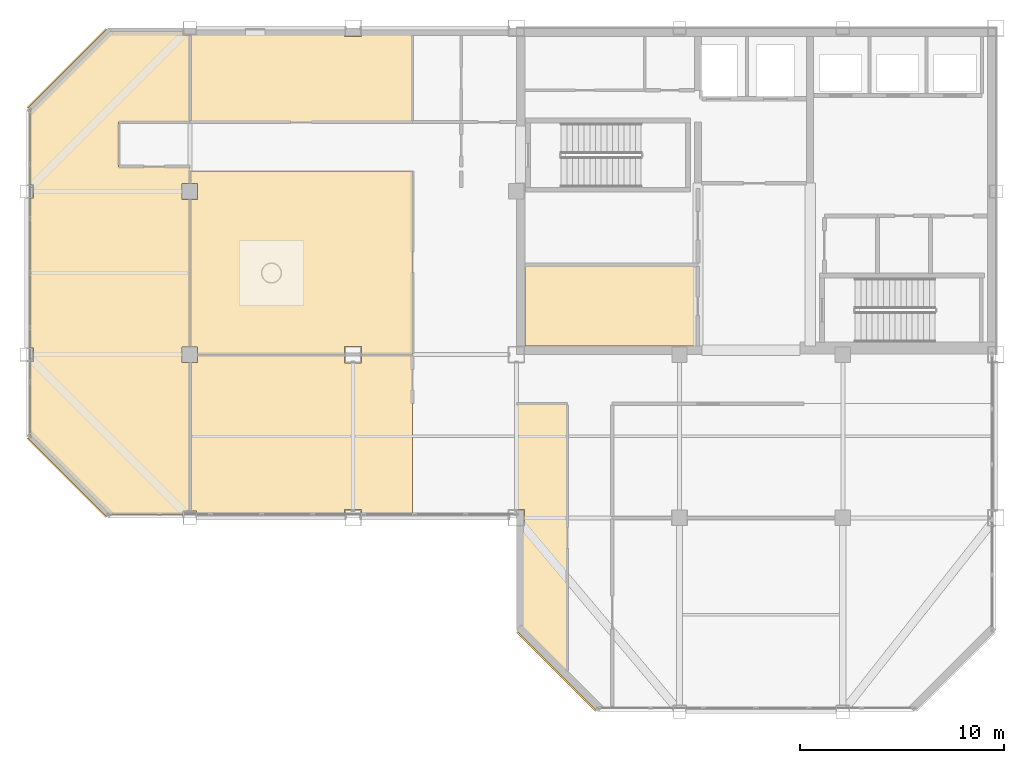
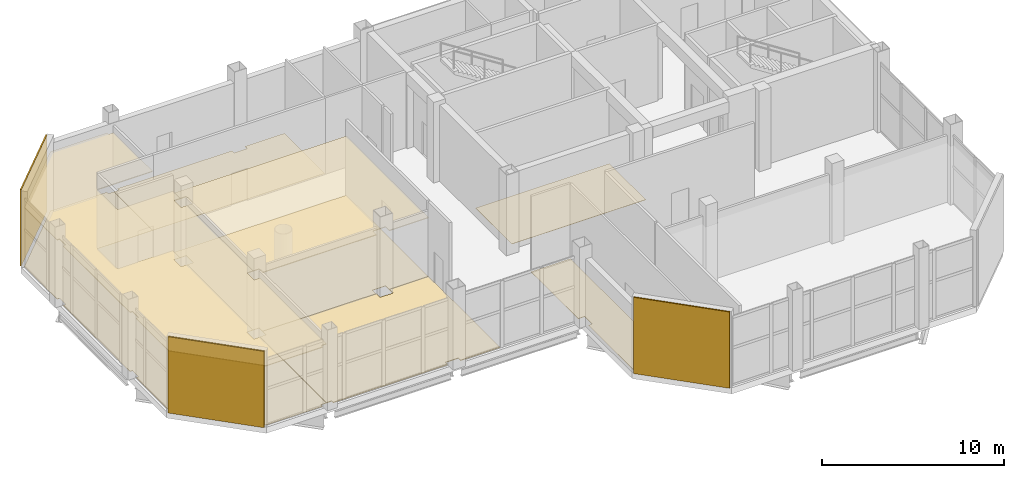
# One storey, part 15 of 17: 11 coverings.
"""IFC4 building model written with IfcOpenShell, lengths in metres."""

from ifc_helpers import new_model, si_unit, direction, frame, origin, origin_2d, place, context, subcontext, project, spatial, polyline, rectangle, outline, extrude, material, layer, layer_set, type_object, element, save


model = new_model("IFC4")

# Units and contexts
model_context = context("Model", 3, precision=1e-05, world=origin(), true_north=direction((0.0, 1.0)))
body_context = subcontext(model_context, "Body", "Model", "MODEL_VIEW")
ifc_project = project(units=[si_unit("LENGTHUNIT", "METRE"), si_unit("AREAUNIT", "SQUARE_METRE"), si_unit("VOLUMEUNIT", "CUBIC_METRE"), si_unit("PLANEANGLEUNIT", "RADIAN"), si_unit("MASSUNIT", "GRAM", prefix="KILO")], contexts=[model_context])

# Site, building, storey
site_placement = place(None, origin())
site = spatial("IfcSite", under=ifc_project, at=site_placement, CompositionType="ELEMENT")
building_placement = place(site_placement, origin())
building = spatial("IfcBuilding", under=site, at=building_placement, Name="Qianrong Seaharbour Tower", CompositionType="ELEMENT")
storey_placement = place(building_placement, frame((0.0, 0.0, 373.0)))
storey = spatial("IfcBuildingStorey", under=building, at=storey_placement, Name="L90", CompositionType="ELEMENT", Elevation=373.0)

# Coverings
ifc_material_1 = material(Name="Perforated acoustic gypsum ceiling board")
ifc_layer_1 = layer(ifc_material_1, 0.050048828125)
ifc_layer_set_1 = layer_set([ifc_layer_1], Name="Perforated acoustic gypsum ceiling board")
covering_type_1 = type_object("IfcCoveringType", Name="COV-CEIL-GYPSUM-50", PredefinedType="CEILING", material=ifc_layer_set_1)
covering_1_placement = place(storey_placement, frame((0.0, 0.0, 3.93994140625)))
element("IfcCovering", 1, at=covering_1_placement, inside=storey, type_object=covering_type_1, Name="L90 Heritage Exhibition Hall Acoustic Ceiling", PredefinedType="CEILING", context=body_context, shape_type="SweptSolid", body=[
    extrude(outline(polyline([(35.39990234375, 45.0), (35.39990234375, 36.0), (32.909912109375, 36.0), (32.909912109375, 36.409912109375), (32.090087890625, 36.409912109375), (32.090087890625, 36.0), (24.885009765625, 36.0), (24.885009765625, 36.385009765625), (24.5, 36.385009765625), (24.5, 43.614990234375), (24.885009765625, 43.614990234375), (24.885009765625, 44.385009765625), (24.5, 44.385009765625), (24.5, 45.0), (35.39990234375, 45.0)])), origin(), (0.0, 0.0, 1.0), 0.050048828125),
])
covering_2_placement = place(storey_placement, frame((0.0, 0.0, 3.93994140625)))
element("IfcCovering", 2, at=covering_2_placement, inside=storey, type_object=covering_type_1, Name="L90 Observatory Gallery Acoustic Ceiling", PredefinedType="CEILING", context=body_context, shape_type="SweptSolid", body=[
    extrude(outline(polyline([(16.675048828125, 32.072509765625), (16.675048828125, 35.6650390625), (16.8349609375, 35.6650390625), (16.8349609375, 36.3349609375), (16.675048828125, 36.3349609375), (16.675048828125, 43.6650390625), (16.8349609375, 43.6650390625), (16.8349609375, 44.3349609375), (16.675048828125, 44.3349609375), (16.675048828125, 47.927490234375), (20.572509765625, 51.824951171875), (24.1650390625, 51.824951171875), (24.1650390625, 51.6650390625), (24.5, 51.6650390625), (24.5, 47.39990234375), (21.0, 47.39990234375), (21.0, 45.199951171875), (24.5, 45.199951171875), (24.5, 44.385009765625), (24.114990234375, 44.385009765625), (24.114990234375, 43.614990234375), (24.5, 43.614990234375), (24.5, 36.385009765625), (24.114990234375, 36.385009765625), (24.114990234375, 35.614990234375), (24.5, 35.614990234375), (24.5, 28.3349609375), (24.1650390625, 28.3349609375), (24.1650390625, 28.175048828125), (20.572509765625, 28.175048828125), (16.675048828125, 32.072509765625)])), origin(), (0.0, 0.0, 1.0), 0.050048828125),
])
ifc_material_2 = material(Name="Unitised red brick cladding on Precast concrete C45/55", Category="masonry")
ifc_layer_2 = layer(ifc_material_2, 0.080078125)
ifc_layer_set_2 = layer_set([ifc_layer_2], Name="Unitised red brick cladding on Precast concrete C45/55")
covering_type_2 = type_object("IfcCoveringType", Name="COV-CLAD-RED-BRICK-80", PredefinedType="CLADDING", material=ifc_layer_set_2)
for number, where, z_axis, x_axis, name in (
    (3, (18.4716796875, 29.9716796875, 0.0), (0.0, 0.0, 1.0), (-0.707106781187, 0.707106781187, 0.0), "L90 Chamfer Corner Brick Cladding 02"),
    (4, (18.4716796875, 50.0283203125, 0.0), (0.0, 0.0, 1.0), (0.707106781187, 0.707106781187, 0.0), "L90 Chamfer Corner Brick Cladding 04"),
    (5, (42.4716796875, 20.4716796875, 0.0), (0.0, 0.0, 1.0), (-0.707106781187, 0.707106781187, 0.0), "L90 Chamfer Corner Brick Cladding 09"),
):
    element("IfcCovering", number, at=place(storey_placement, frame(where, z_axis=z_axis, x_axis=x_axis)), inside=storey, type_object=covering_type_2, Name=name, PredefinedType="CLADDING", context=body_context, shape_type="SweptSolid", body=[
        extrude(rectangle(XDim=5.456787109375, YDim=0.080078125, at=origin_2d()), origin(), (0.0, 0.0, 1.0), 5.110107421875),
    ])
ifc_material_3 = material(Name="Acoustic modular carpet tile flooring")
ifc_layer_3 = layer(ifc_material_3, 0.02001953125)
ifc_layer_set_3 = layer_set([ifc_layer_3], Name="Acoustic modular carpet tile flooring")
covering_type_3 = type_object("IfcCoveringType", Name="COV-FLOOR-CARPET-20", PredefinedType="FLOORING", material=ifc_layer_set_3)
covering_3_placement = place(storey_placement, origin())
element("IfcCovering", 6, at=covering_3_placement, inside=storey, type_object=covering_type_3, Name="L90 Corporate Archive Room Finish Flooring", PredefinedType="FLOORING", context=body_context, shape_type="SweptSolid", body=[
    extrude(outline(polyline([(49.39990234375, 40.39990234375), (49.39990234375, 36.419921875), (40.919921875, 36.419921875), (40.919921875, 40.39990234375), (49.39990234375, 40.39990234375)])), origin(), (0.0, 0.0, 1.0), 0.02001953125),
])
covering_4_placement = place(storey_placement, origin())
element("IfcCovering", 7, at=covering_4_placement, inside=storey, type_object=covering_type_3, Name="L90 Heritage Exhibition Hall Finish Flooring", PredefinedType="FLOORING", context=body_context, shape_type="SweptSolid", body=[
    extrude(outline(polyline([(35.39990234375, 45.0), (35.39990234375, 36.0), (32.909912109375, 36.0), (32.909912109375, 36.409912109375), (32.090087890625, 36.409912109375), (32.090087890625, 36.0), (24.885009765625, 36.0), (24.885009765625, 36.385009765625), (24.5, 36.385009765625), (24.5, 43.614990234375), (24.885009765625, 43.614990234375), (24.885009765625, 44.385009765625), (24.5, 44.385009765625), (24.5, 45.0), (35.39990234375, 45.0)])), origin(), (0.0, 0.0, 1.0), 0.02001953125),
])
covering_5_placement = place(storey_placement, origin())
element("IfcCovering", 8, at=covering_5_placement, inside=storey, type_object=covering_type_3, Name="L90 Observatory Gallery Finish Flooring", PredefinedType="FLOORING", context=body_context, shape_type="SweptSolid", body=[
    extrude(outline(polyline([(16.675048828125, 32.072509765625), (16.675048828125, 35.6650390625), (16.8349609375, 35.6650390625), (16.8349609375, 36.3349609375), (16.675048828125, 36.3349609375), (16.675048828125, 43.6650390625), (16.8349609375, 43.6650390625), (16.8349609375, 44.3349609375), (16.675048828125, 44.3349609375), (16.675048828125, 47.927490234375), (20.572509765625, 51.824951171875), (24.1650390625, 51.824951171875), (24.1650390625, 51.6650390625), (24.5, 51.6650390625), (24.5, 47.39990234375), (21.0, 47.39990234375), (21.0, 45.199951171875), (24.5, 45.199951171875), (24.5, 44.385009765625), (24.114990234375, 44.385009765625), (24.114990234375, 43.614990234375), (24.5, 43.614990234375), (24.5, 36.385009765625), (24.114990234375, 36.385009765625), (24.114990234375, 35.614990234375), (24.5, 35.614990234375), (24.5, 28.3349609375), (24.1650390625, 28.3349609375), (24.1650390625, 28.175048828125), (20.572509765625, 28.175048828125), (16.675048828125, 32.072509765625)])), origin(), (0.0, 0.0, 1.0), 0.02001953125),
])
covering_6_placement = place(storey_placement, origin())
element("IfcCovering", 9, at=covering_6_placement, inside=storey, type_object=covering_type_3, Name="L90 North Skyline Reading Lounge Finish Flooring", PredefinedType="FLOORING", context=body_context, shape_type="SweptSolid", body=[
    extrude(outline(polyline([(24.5, 51.6650390625), (24.8349609375, 51.6650390625), (24.8349609375, 51.824951171875), (32.090087890625, 51.824951171875), (32.090087890625, 51.590087890625), (32.909912109375, 51.590087890625), (32.909912109375, 51.824951171875), (35.39990234375, 51.824951171875), (35.39990234375, 47.39990234375), (24.5, 47.39990234375), (24.5, 51.6650390625)])), origin(), (0.0, 0.0, 1.0), 0.02001953125),
])
covering_7_placement = place(storey_placement, origin())
element("IfcCovering", 10, at=covering_7_placement, inside=storey, type_object=covering_type_3, Name="L90 Wet Pantry Finish Flooring", PredefinedType="FLOORING", context=body_context, shape_type="SweptSolid", body=[
    extrude(outline(polyline([(43.0, 20.24755859375), (40.675048828125, 22.572509765625), (40.675048828125, 27.590087890625), (40.909912109375, 27.590087890625), (40.909912109375, 28.409912109375), (40.5, 28.409912109375), (40.5, 33.60009765625), (43.0, 33.60009765625), (43.0, 20.24755859375)])), origin(), (0.0, 0.0, 1.0), 0.02001953125),
])
ifc_material_4 = material(Name="Calcium-sulphate raised access floor tile")
ifc_layer_4 = layer(ifc_material_4, 0.044921875)
ifc_layer_set_4 = layer_set([ifc_layer_4], Name="Calcium-sulphate raised access floor tile")
covering_type_4 = type_object("IfcCoveringType", Name="COV-FLOOR-RAISED-45", PredefinedType="FLOORING", material=ifc_layer_set_4)
covering_8_placement = place(storey_placement, origin())
element("IfcCovering", 11, at=covering_8_placement, inside=storey, type_object=covering_type_4, Name="L90 Observatory Operations Open-Plan Office Finish Flooring", PredefinedType="FLOORING", context=body_context, shape_type="SweptSolid", body=[
    extrude(outline(polyline([(35.39990234375, 28.175048828125), (32.909912109375, 28.175048828125), (32.909912109375, 28.409912109375), (32.090087890625, 28.409912109375), (32.090087890625, 28.175048828125), (24.8349609375, 28.175048828125), (24.8349609375, 28.3349609375), (24.5, 28.3349609375), (24.5, 35.614990234375), (24.885009765625, 35.614990234375), (24.885009765625, 36.0), (32.090087890625, 36.0), (32.090087890625, 35.590087890625), (32.909912109375, 35.590087890625), (32.909912109375, 36.0), (35.39990234375, 36.0), (35.39990234375, 28.175048828125)])), origin(), (0.0, 0.0, 1.0), 0.044921875),
])

save(model, "model.ifc")
